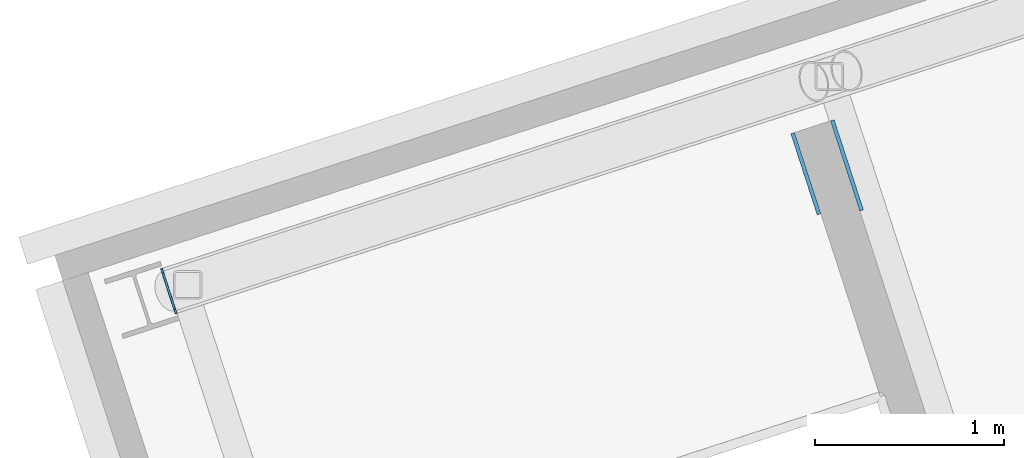
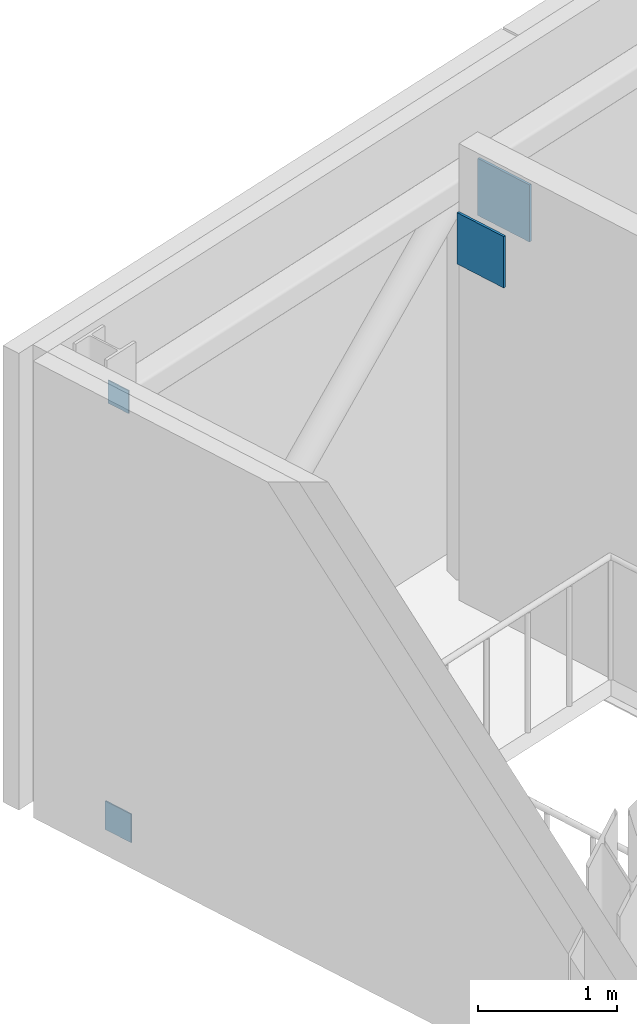
# One storey, part 44 of 52: 4 plates.
"""IFC4 building model written with IfcOpenShell, lengths in metres."""

from ifc_helpers import new_model, si_unit, direction, frame, origin, place, context, subcontext, project, spatial, polyline, outline, extrude, material, layer, layer_set, type_object, element, save


model = new_model("IFC4")

# Units and contexts
model_context = context("Model", 3, precision=1e-05, world=origin(), true_north=direction((0.0, 1.0)))
body_context = subcontext(model_context, "Body", "Model", "MODEL_VIEW")
ifc_project = project(units=[si_unit("LENGTHUNIT", "METRE"), si_unit("AREAUNIT", "SQUARE_METRE"), si_unit("VOLUMEUNIT", "CUBIC_METRE"), si_unit("PLANEANGLEUNIT", "RADIAN"), si_unit("MASSUNIT", "GRAM", prefix="KILO")], contexts=[model_context])

# Site, building, storey
site_placement = place(None, origin())
site = spatial("IfcSite", under=ifc_project, at=site_placement, CompositionType="ELEMENT")
building_placement = place(site_placement, origin())
building = spatial("IfcBuilding", under=site, at=building_placement, Name="Tuart Plaza Theatre", CompositionType="ELEMENT")
storey_placement = place(building_placement, frame((0.0, 0.0, 25.5)))
storey = spatial("IfcBuildingStorey", under=building, at=storey_placement, Name="L06", CompositionType="ELEMENT", Elevation=25.5)

# Plates
ifc_material_1 = material(Name="Steel Grade 300", Category="steel")
ifc_layer_1 = layer(ifc_material_1, 0.02001953125)
ifc_layer_set_1 = layer_set([ifc_layer_1], Name="PLATE Cast-in 20 Steel Grade 300")
plate_type_1 = type_object("IfcPlateType", Name="PLATE Cast-in 20 Steel Grade 300", PredefinedType="SHEET", material=ifc_layer_set_1)
plate_1_placement = place(storey_placement, frame((38.73291015625, 88.099609375, 3.405517578125), z_axis=(-0.951149634819, -0.308730257965, 0.0), x_axis=(-0.308730257965, 0.951149634819, 0.0)))
element("IfcPlate", 1, at=plate_1_placement, inside=storey, type_object=plate_type_1, Name="CI15", PredefinedType="SHEET", context=body_context, shape_type="SweptSolid", body=[
    extrude(outline(polyline([(0.0, 0.0), (0.44995918618659586, 0.0), (0.44995918618659586, 0.4501953125), (0.0, 0.4501953125), (0.0, 0.0)])), origin(), (0.0, 0.0, -1.0), 0.02001953125),
])
plate_2_placement = place(storey_placement, frame((38.976806640625, 88.126220703125, 3.2666015625), z_axis=(0.951048418938, 0.309041914367, 0.0), x_axis=(-0.309041914367, 0.951048418938, 0.0)))
element("IfcPlate", 2, at=plate_2_placement, inside=storey, type_object=plate_type_1, Name="CI16", PredefinedType="SHEET", context=body_context, shape_type="SweptSolid", body=[
    extrude(outline(polyline([(0.0, 0.0), (0.5000649052454695, 0.0), (0.5000649052454695, 0.5), (0.0, 0.5), (0.0, 0.0)])), origin(), (0.0, 0.0, -1.0), 0.02001953125),
])
ifc_material_2 = material(Name="Steel Grade C350L0", Category="steel")
ifc_layer_2 = layer(ifc_material_2, 0.010009765625)
ifc_layer_set_2 = layer_set([ifc_layer_2], Name="PLATE End cap 10 Steel Grade C350L0")
plate_type_2 = type_object("IfcPlateType", Name="PLATE End cap 10 Steel Grade C350L0", PredefinedType="SHEET", material=ifc_layer_set_2)
plate_3_placement = place(storey_placement, frame((35.34423828125, 87.576904296875, -0.14990234375), z_axis=(-0.950811204883, -0.309770968086, 0.0), x_axis=(-0.309770968086, 0.950811204883, 0.0)))
element("IfcPlate", 3, at=plate_3_placement, inside=storey, type_object=plate_type_2, Name="EP13", PredefinedType="SHEET", context=body_context, shape_type="SweptSolid", body=[
    extrude(outline(polyline([(0.0, 0.0), (0.24983806133652858, 0.0), (0.24983806133652858, 0.25000000000000006), (0.0, 0.25000000000000006), (0.0, 0.0)])), origin(), (0.0, 0.0, -1.0), 0.010009765625),
])
plate_4_placement = place(storey_placement, frame((35.33642578125, 87.6005859375, 3.547119140625), z_axis=(-0.951096855055, -0.308892816854, 0.0), x_axis=(-0.308892816854, 0.951096855055, 0.0)))
element("IfcPlate", 4, at=plate_4_placement, inside=storey, type_object=plate_type_2, Name="EP14", PredefinedType="SHEET", context=body_context, shape_type="SweptSolid", body=[
    extrude(outline(polyline([(0.0, 0.0), (0.1999644367070575, 0.0), (0.1999644367070575, 0.20019531250000006), (0.0, 0.20019531250000006), (0.0, 0.0)])), origin(), (0.0, 0.0, -1.0), 0.010009765625),
])

save(model, "model.ifc")
